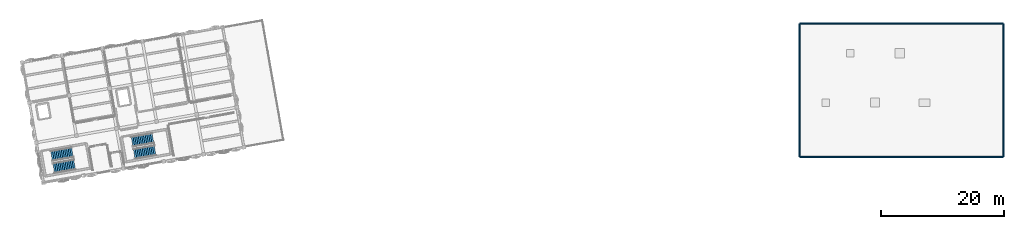
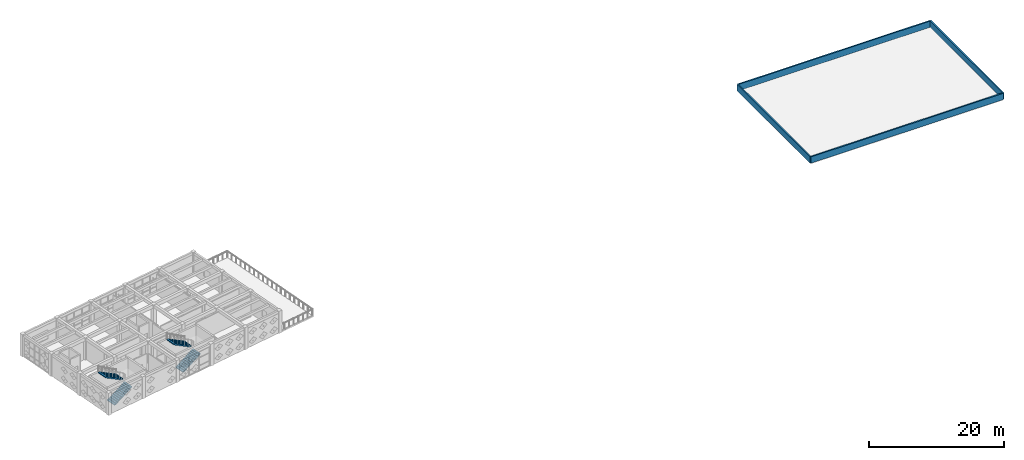
# One storey, part 15 of 18: 4 stair flights, 4 walls, 2 elements without a shape of their own.
"""IFC4 building model written with IfcOpenShell, lengths in metres."""

from ifc_helpers import new_model, si_unit, direction, frame, frame_2d, origin, place, context, subcontext, project, spatial, polyline, rectangle, outline, extrude, material, layer, layer_set, type_object, element, aggregate, save


model = new_model("IFC4")

# Units and contexts
model_context = context("Model", 3, precision=1e-05, world=origin(), true_north=direction((0.0, 1.0)))
body_context = subcontext(model_context, "Body", "Model", "MODEL_VIEW")
ifc_project = project(units=[si_unit("LENGTHUNIT", "METRE"), si_unit("AREAUNIT", "SQUARE_METRE"), si_unit("VOLUMEUNIT", "CUBIC_METRE"), si_unit("PLANEANGLEUNIT", "RADIAN"), si_unit("MASSUNIT", "GRAM", prefix="KILO")], contexts=[model_context])

# Site, building, storey
site_placement = place(None, origin())
site = spatial("IfcSite", under=ifc_project, at=site_placement, CompositionType="ELEMENT")
building_placement = place(site_placement, origin())
building = spatial("IfcBuilding", under=site, at=building_placement, Name="Kharisveld Research Institute", CompositionType="ELEMENT")
storey_placement = place(building_placement, frame((0.0, 0.0, 36.60009765625)))
storey = spatial("IfcBuildingStorey", under=building, at=storey_placement, Name="L08", CompositionType="ELEMENT", Elevation=36.60009765625)

# Walls
ifc_material_1 = material(Name="Concrete C35/45", Category="concrete")
ifc_layer = layer(ifc_material_1, 0.22998046875)
ifc_layer_set = layer_set([ifc_layer], Name="WL_PAR_230")
wall_type = type_object("IfcWallType", Name="WL_PAR_230", PredefinedType="PARAPET", material=ifc_layer_set)
wall_1_placement = place(storey_placement, frame((127.800048828125, 39.199951171875, 0.0), z_axis=(0.0, 0.0, 1.0), x_axis=(1.0, 0.0, 0.0)))
element("IfcWall", 1, at=wall_1_placement, inside=storey, type_object=wall_type, Name="WL:V2:L08:PAR_0", PredefinedType="PARAPET", context=body_context, shape_type="SweptSolid", body=[
    extrude(rectangle(XDim=33.0, YDim=0.22998046875, at=frame_2d((16.5, 0.0))), origin(), (0.0, 0.0, 1.0), 1.14990234375),
])
wall_2_placement = place(storey_placement, frame((160.800048828125, 39.199951171875, 0.0), z_axis=(0.0, 0.0, 1.0), x_axis=(0.0, 1.0, 0.0)))
element("IfcWall", 2, at=wall_2_placement, inside=storey, type_object=wall_type, Name="WL:V2:L08:PAR_1", PredefinedType="PARAPET", context=body_context, shape_type="SweptSolid", body=[
    extrude(rectangle(XDim=21.60009765625, YDim=0.22998046875, at=frame_2d((10.800048828125, 0.0))), origin(), (0.0, 0.0, 1.0), 1.14990234375),
])
wall_3_placement = place(storey_placement, frame((160.800048828125, 60.800048828125, 0.0), z_axis=(0.0, 0.0, 1.0), x_axis=(-1.0, 0.0, 0.0)))
element("IfcWall", 3, at=wall_3_placement, inside=storey, type_object=wall_type, Name="WL:V2:L08:PAR_2", PredefinedType="PARAPET", context=body_context, shape_type="SweptSolid", body=[
    extrude(rectangle(XDim=33.0, YDim=0.22998046875, at=frame_2d((16.5, 0.0))), origin(), (0.0, 0.0, 1.0), 1.14990234375),
])
wall_4_placement = place(storey_placement, frame((127.800048828125, 60.800048828125, 0.0), z_axis=(0.0, 0.0, 1.0), x_axis=(0.0, -1.0, 0.0)))
element("IfcWall", 4, at=wall_4_placement, inside=storey, type_object=wall_type, Name="WL:V2:L08:PAR_3", PredefinedType="PARAPET", context=body_context, shape_type="SweptSolid", body=[
    extrude(rectangle(XDim=21.60009765625, YDim=0.22998046875, at=frame_2d((10.800048828125, 0.0))), origin(), (0.0, 0.0, 1.0), 1.14990234375),
])

# Stair, stair flights
ifc_material_2 = material(Name="Concrete C40/50", Category="concrete")
stair_type = type_object("IfcStairType", Name="ST_EXIT_170", PredefinedType="TWO_STRAIGHT_RUN_STAIR", material=ifc_material_2)
stair_1_placement = place(storey_placement, origin())
stair_1 = element("IfcStair", 5, at=stair_1_placement, inside=storey, type_object=stair_type, Name="STR:ST1:L08", PredefinedType="TWO_STRAIGHT_RUN_STAIR")
ifc_material_3 = material(Name="Concrete C40/50", Category="concrete")
stair_flight_type = type_object("IfcStairFlightType", Name="SF_RUN_170", PredefinedType="STRAIGHT", material=ifc_material_3)
stair_flight_1_placement = place(storey_placement, frame((6.891357421875, 37.339111328125, 0.0), z_axis=(0.0, 0.0, 1.0), x_axis=(0.984807753012, 0.173648177667, 0.0)))
stair_flight_1 = element("IfcStairFlight", 6, at=stair_flight_1_placement, type_object=stair_flight_type, Name="ST-01 flight 1", NumberOfRisers=13, NumberOfTreads=12, PredefinedType="STRAIGHT", RiserHeight=0.161538, TreadLength=0.285, context=body_context, shape_type="SweptSolid", body=[
    extrude(outline(polyline([(0.0, 0.0), (0.0, 0.16162109375), (0.284912109375, 0.16162109375), (0.284912109375, 0.322998046875), (0.570068359375, 0.322998046875), (0.570068359375, 0.484619140625), (0.85498046875, 0.484619140625), (0.85498046875, 0.646240234375), (1.139892578125, 0.646240234375), (1.139892578125, 0.8076171875), (1.425048828125, 0.8076171875), (1.425048828125, 0.96923828125), (1.7099609375, 0.96923828125), (1.7099609375, 1.130859375), (1.9951171875, 1.130859375), (1.9951171875, 1.292236328125), (2.280029296875, 1.292236328125), (2.280029296875, 1.453857421875), (2.56494140625, 1.453857421875), (2.56494140625, 1.615478515625), (2.85009765625, 1.615478515625), (2.85009765625, 1.77685546875), (3.135009765625, 1.77685546875), (3.135009765625, 1.9384765625), (3.419921875, 1.9384765625), (3.419921875, 2.10009765625), (3.419921875, 1.76611328125), (0.303955078125, 0.0), (0.0, 0.0)])), frame((0.0, 0.85009765625, 0.0), z_axis=(0.0, -1.0, 0.0), x_axis=(1.0, 0.0, 0.0)), (0.0, 0.0, 1.0), 1.699951171875),
])
stair_flight_2_placement = place(storey_placement, frame((9.901611328125, 39.961669921875, 2.099853515625), z_axis=(0.0, 0.0, 1.0), x_axis=(-0.984807753012, -0.173648177667, 0.0)))
stair_flight_2 = element("IfcStairFlight", 7, at=stair_flight_2_placement, type_object=stair_flight_type, Name="ST-01 flight 2", NumberOfRisers=13, NumberOfTreads=12, PredefinedType="STRAIGHT", RiserHeight=0.161538, TreadLength=0.285, context=body_context, shape_type="SweptSolid", body=[
    extrude(outline(polyline([(0.0, 0.0), (0.0, 0.16162109375), (0.284912109375, 0.16162109375), (0.284912109375, 0.322998046875), (0.570068359375, 0.322998046875), (0.570068359375, 0.484619140625), (0.85498046875, 0.484619140625), (0.85498046875, 0.646240234375), (1.139892578125, 0.646240234375), (1.139892578125, 0.8076171875), (1.425048828125, 0.8076171875), (1.425048828125, 0.96923828125), (1.7099609375, 0.96923828125), (1.7099609375, 1.130859375), (1.9951171875, 1.130859375), (1.9951171875, 1.292236328125), (2.280029296875, 1.292236328125), (2.280029296875, 1.453857421875), (2.56494140625, 1.453857421875), (2.56494140625, 1.615478515625), (2.85009765625, 1.615478515625), (2.85009765625, 1.77685546875), (3.135009765625, 1.77685546875), (3.135009765625, 1.9384765625), (3.419921875, 1.9384765625), (3.419921875, 2.10009765625), (3.419921875, 1.76611328125), (0.303955078125, 0.0), (0.0, 0.0)])), frame((0.0, 0.85009765625, 0.0), z_axis=(0.0, -1.0, 0.0), x_axis=(1.0, 0.0, 0.0)), (0.0, 0.0, 1.0), 1.699951171875),
])
aggregate(stair_1, [stair_flight_1, stair_flight_2])

stair_2_placement = place(storey_placement, origin())
stair_2 = element("IfcStair", 8, at=stair_2_placement, inside=storey, type_object=stair_type, Name="STR:ST2:L08", PredefinedType="TWO_STRAIGHT_RUN_STAIR")
stair_flight_3_placement = place(storey_placement, frame((19.93994140625, 39.639892578125, 0.0), z_axis=(0.0, 0.0, 1.0), x_axis=(0.984807753012, 0.173648177667, 0.0)))
stair_flight_3 = element("IfcStairFlight", 9, at=stair_flight_3_placement, type_object=stair_flight_type, Name="ST-02 flight 1", NumberOfRisers=13, NumberOfTreads=12, PredefinedType="STRAIGHT", RiserHeight=0.161538, TreadLength=0.285, context=body_context, shape_type="SweptSolid", body=[
    extrude(outline(polyline([(0.0, 0.0), (0.0, 0.16162109375), (0.284912109375, 0.16162109375), (0.284912109375, 0.322998046875), (0.570068359375, 0.322998046875), (0.570068359375, 0.484619140625), (0.85498046875, 0.484619140625), (0.85498046875, 0.646240234375), (1.139892578125, 0.646240234375), (1.139892578125, 0.8076171875), (1.425048828125, 0.8076171875), (1.425048828125, 0.96923828125), (1.7099609375, 0.96923828125), (1.7099609375, 1.130859375), (1.9951171875, 1.130859375), (1.9951171875, 1.292236328125), (2.280029296875, 1.292236328125), (2.280029296875, 1.453857421875), (2.56494140625, 1.453857421875), (2.56494140625, 1.615478515625), (2.85009765625, 1.615478515625), (2.85009765625, 1.77685546875), (3.135009765625, 1.77685546875), (3.135009765625, 1.9384765625), (3.419921875, 1.9384765625), (3.419921875, 2.10009765625), (3.419921875, 1.76611328125), (0.303955078125, 0.0), (0.0, 0.0)])), frame((0.0, 0.85009765625, 0.0), z_axis=(0.0, -1.0, 0.0), x_axis=(1.0, 0.0, 0.0)), (0.0, 0.0, 1.0), 1.699951171875),
])
stair_flight_4_placement = place(storey_placement, frame((22.9501953125, 42.262451171875, 2.099853515625), z_axis=(0.0, 0.0, 1.0), x_axis=(-0.984807753012, -0.173648177667, 0.0)))
stair_flight_4 = element("IfcStairFlight", 10, at=stair_flight_4_placement, type_object=stair_flight_type, Name="ST-02 flight 2", NumberOfRisers=13, NumberOfTreads=12, PredefinedType="STRAIGHT", RiserHeight=0.161538, TreadLength=0.285, context=body_context, shape_type="SweptSolid", body=[
    extrude(outline(polyline([(0.0, 0.0), (0.0, 0.16162109375), (0.284912109375, 0.16162109375), (0.284912109375, 0.322998046875), (0.570068359375, 0.322998046875), (0.570068359375, 0.484619140625), (0.85498046875, 0.484619140625), (0.85498046875, 0.646240234375), (1.139892578125, 0.646240234375), (1.139892578125, 0.8076171875), (1.425048828125, 0.8076171875), (1.425048828125, 0.96923828125), (1.7099609375, 0.96923828125), (1.7099609375, 1.130859375), (1.9951171875, 1.130859375), (1.9951171875, 1.292236328125), (2.280029296875, 1.292236328125), (2.280029296875, 1.453857421875), (2.56494140625, 1.453857421875), (2.56494140625, 1.615478515625), (2.85009765625, 1.615478515625), (2.85009765625, 1.77685546875), (3.135009765625, 1.77685546875), (3.135009765625, 1.9384765625), (3.419921875, 1.9384765625), (3.419921875, 2.10009765625), (3.419921875, 1.76611328125), (0.303955078125, 0.0), (0.0, 0.0)])), frame((0.0, 0.85009765625, 0.0), z_axis=(0.0, -1.0, 0.0), x_axis=(1.0, 0.0, 0.0)), (0.0, 0.0, 1.0), 1.699951171875),
])
aggregate(stair_2, [stair_flight_3, stair_flight_4])

save(model, "model.ifc")
